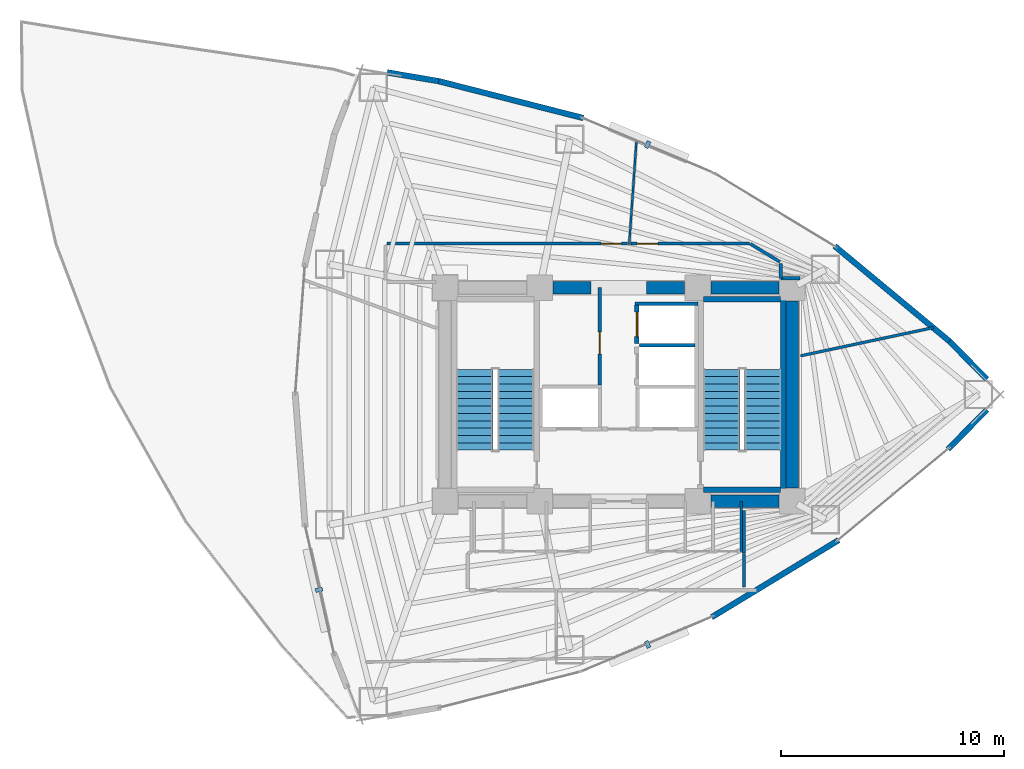
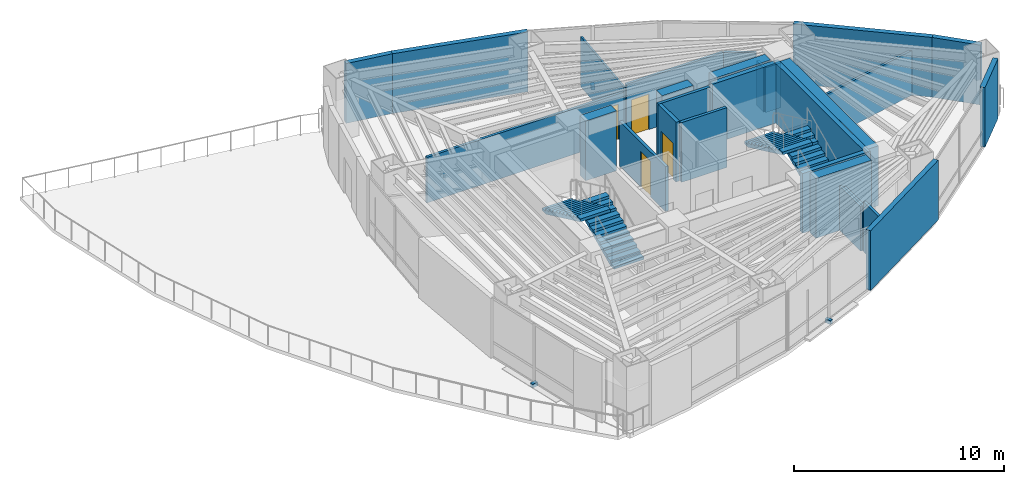
# One storey, part 16 of 19: 28 walls, 4 doors, 4 stair flights, 3 discrete accessories, 4 openings, 2 elements without a shape of their own.
"""IFC4 building model written with IfcOpenShell, lengths in metres."""

from ifc_helpers import new_model, si_unit, direction, frame, frame_2d, origin, origin_2d, place, context, subcontext, project, spatial, polyline, rectangle, outline, extrude, material, layer, layer_set, type_object, element, fill, aggregate, save


model = new_model("IFC4")

# Units and contexts
model_context = context("Model", 3, precision=1e-05, world=origin(), true_north=direction((0.0, 1.0)))
body_context = subcontext(model_context, "Body", "Model", "MODEL_VIEW")
ifc_project = project(units=[si_unit("LENGTHUNIT", "METRE"), si_unit("AREAUNIT", "SQUARE_METRE"), si_unit("VOLUMEUNIT", "CUBIC_METRE"), si_unit("PLANEANGLEUNIT", "RADIAN"), si_unit("MASSUNIT", "GRAM", prefix="KILO")], contexts=[model_context])

# Site, building, storey
site_placement = place(None, origin())
site = spatial("IfcSite", under=ifc_project, at=site_placement, CompositionType="ELEMENT")
building_placement = place(site_placement, origin())
building = spatial("IfcBuilding", under=site, at=building_placement, Name="Menara Vayukalpa", CompositionType="ELEMENT")
storey_placement = place(building_placement, frame((0.0, 0.0, 118.860107421875)))
storey = spatial("IfcBuildingStorey", under=building, at=storey_placement, Name="L29", CompositionType="ELEMENT", Elevation=118.860107421875)

# Walls
ifc_material_1 = material(Name="Concrete C60/75", Category="concrete")
ifc_layer_1 = layer(ifc_material_1, 0.550048828125)
ifc_layer_set_1 = layer_set([ifc_layer_1], Name="Concrete C60/75")
wall_type_1 = type_object("IfcWallType", Name="WAL-CW550", PredefinedType="SHEAR", material=ifc_layer_set_1)
wall_1_placement = place(storey_placement, frame((29.7451171875, 17.199951171875, 0.0), z_axis=(0.0, 0.0, 1.0), x_axis=(1.0, 0.0, 0.0)))
element("IfcWall", 1, at=wall_1_placement, inside=storey, type_object=wall_type_1, Name="L29 Buttressed Core Shear Wall CWS4", PredefinedType="SHEAR", context=body_context, shape_type="SweptSolid", body=[
    extrude(rectangle(XDim=3.059814453125, YDim=0.550048828125, at=frame_2d((1.52978515625, 0.0))), origin(), (0.0, 0.0, 1.0), 3.469970703125),
])
wall_2_placement = place(storey_placement, frame((22.64501953125, 26.800048828125, 0.0), z_axis=(0.0, 0.0, 1.0), x_axis=(1.0, 0.0, 0.0)))
element("IfcWall", 2, at=wall_2_placement, inside=storey, type_object=wall_type_1, Name="L29 Buttressed Core Shear Wall CWN2", PredefinedType="SHEAR", context=body_context, shape_type="SweptSolid", body=[
    extrude(rectangle(XDim=1.705078125, YDim=0.550048828125, at=frame_2d((0.8525390625, 0.0))), origin(), (0.0, 0.0, 1.0), 3.469970703125),
])
wall_3_placement = place(storey_placement, frame((26.85009765625, 26.800048828125, 0.0), z_axis=(0.0, 0.0, 1.0), x_axis=(1.0, 0.0, 0.0)))
element("IfcWall", 3, at=wall_3_placement, inside=storey, type_object=wall_type_1, Name="L29 Buttressed Core Shear Wall CWN3", PredefinedType="SHEAR", context=body_context, shape_type="SweptSolid", body=[
    extrude(rectangle(XDim=1.704833984375, YDim=0.550048828125, at=frame_2d((0.8525390625, 0.0))), origin(), (0.0, 0.0, 1.0), 3.469970703125),
])
wall_4_placement = place(storey_placement, frame((29.7451171875, 26.800048828125, 0.0), z_axis=(0.0, 0.0, 1.0), x_axis=(1.0, 0.0, 0.0)))
element("IfcWall", 4, at=wall_4_placement, inside=storey, type_object=wall_type_1, Name="L29 Buttressed Core Shear Wall CWN4", PredefinedType="SHEAR", context=body_context, shape_type="SweptSolid", body=[
    extrude(rectangle(XDim=3.059814453125, YDim=0.550048828125, at=frame_2d((1.52978515625, 0.0))), origin(), (0.0, 0.0, 1.0), 3.469970703125),
])
wall_5_placement = place(storey_placement, frame((33.39990234375, 17.794921875, 0.0), z_axis=(0.0, 0.0, 1.0), x_axis=(0.0, 1.0, 0.0)))
element("IfcWall", 5, at=wall_5_placement, inside=storey, type_object=wall_type_1, Name="L29 Buttressed Core Shear Wall CWE1", PredefinedType="SHEAR", context=body_context, shape_type="SweptSolid", body=[
    extrude(rectangle(XDim=8.41015625, YDim=0.550048828125, at=frame_2d((4.205078125, 0.0))), origin(), (0.0, 0.0, 1.0), 3.469970703125),
])
ifc_material_2 = material(Name="Insulated Precast Concrete C40/50", Category="concrete")
ifc_layer_2 = layer(ifc_material_2, 0.260009765625)
ifc_layer_set_2 = layer_set([ifc_layer_2], Name="Insulated Precast Concrete C40/50")
wall_type_2 = type_object("IfcWallType", Name="WAL-EXT260", PredefinedType="PARTITIONING", material=ifc_layer_set_2)
wall_6_placement = place(storey_placement, frame((42.14111328125, 21.316650390625, 0.0), z_axis=(0.0, 0.0, 1.0), x_axis=(-0.700579225101, -0.713574627742, 0.0)))
element("IfcWall", 6, at=wall_6_placement, inside=storey, type_object=wall_type_2, Name="L29 Perimeter Terracotta Pier Wall 01", PredefinedType="PARTITIONING", context=body_context, shape_type="SweptSolid", body=[
    extrude(rectangle(XDim=2.49853515625, YDim=0.260009765625, at=frame_2d((1.249267578125, 0.0))), origin(), (0.0, 0.0, 1.0), 3.469970703125),
])
wall_7_placement = place(storey_placement, frame((40.46337890625, 24.39208984375, 0.0), z_axis=(0.0, 0.0, 1.0), x_axis=(0.700603293449, -0.713550996922, 0.0)))
element("IfcWall", 7, at=wall_7_placement, inside=storey, type_object=wall_type_2, Name="L29 Perimeter Terracotta Pier Wall 02", PredefinedType="PARTITIONING", context=body_context, shape_type="SweptSolid", body=[
    extrude(rectangle(XDim=2.394775390625, YDim=0.260009765625, at=frame_2d((1.197265625, 0.0))), origin(), (0.0, 0.0, 1.0), 3.469970703125),
])
wall_8_placement = place(storey_placement, frame((35.30126953125, 28.672119140625, 0.0), z_axis=(0.0, 0.0, 1.0), x_axis=(0.76975316947, -0.638341646841, 0.0)))
element("IfcWall", 8, at=wall_8_placement, inside=storey, type_object=wall_type_2, Name="L29 Perimeter Terracotta Pier Wall 03", PredefinedType="PARTITIONING", context=body_context, shape_type="SweptSolid", body=[
    extrude(rectangle(XDim=6.718017578125, YDim=0.260009765625, at=frame_2d((3.35888671875, 0.0))), origin(), (0.0, 0.0, 1.0), 3.469970703125),
])
wall_9_placement = place(storey_placement, frame((17.504638671875, 36.08056640625, 0.0), z_axis=(0.0, 0.0, 1.0), x_axis=(0.968981437296, -0.247133514876, 0.0)))
element("IfcWall", 9, at=wall_9_placement, inside=storey, type_object=wall_type_2, Name="L29 Perimeter Terracotta Pier Wall 06", PredefinedType="PARTITIONING", context=body_context, shape_type="SweptSolid", body=[
    extrude(rectangle(XDim=6.717529296875, YDim=0.260009765625, at=frame_2d((3.35888671875, 0.0))), origin(), (0.0, 0.0, 1.0), 3.469970703125),
])
wall_10_placement = place(storey_placement, frame((15.19287109375, 36.472412109375, 0.0), z_axis=(0.0, 0.0, 1.0), x_axis=(0.985905269947, -0.167304508875, 0.0)))
element("IfcWall", 10, at=wall_10_placement, inside=storey, type_object=wall_type_2, Name="L29 Perimeter Terracotta Pier Wall 07", PredefinedType="PARTITIONING", context=body_context, shape_type="SweptSolid", body=[
    extrude(rectangle(XDim=2.356689453125, YDim=0.260009765625, at=frame_2d((1.17822265625, 0.0))), origin(), (0.0, 0.0, 1.0), 3.469970703125),
])
wall_11_placement = place(storey_placement, frame((35.47998046875, 15.455078125, 0.0), z_axis=(0.0, 0.0, 1.0), x_axis=(-0.854673977685, -0.51916509115, 0.0)))
element("IfcWall", 11, at=wall_11_placement, inside=storey, type_object=wall_type_2, Name="L29 Perimeter Terracotta Pier Wall 18", PredefinedType="PARTITIONING", context=body_context, shape_type="SweptSolid", body=[
    extrude(rectangle(XDim=6.678466796875, YDim=0.260009765625, at=frame_2d((3.33935546875, 0.0))), origin(), (0.0, 0.0, 1.0), 3.469970703125),
])
ifc_material_3 = material(Name="Lightweight Concrete Blockwork C16/20", Category="masonry")
ifc_layer_3 = layer(ifc_material_3, 0.159912109375)
ifc_layer_set_3 = layer_set([ifc_layer_3], Name="Lightweight Concrete Blockwork C16/20")
wall_type_3 = type_object("IfcWallType", Name="WAL-FR150", PredefinedType="PARTITIONING", material=ifc_layer_set_3)
wall_12_placement = place(storey_placement, frame((26.530029296875, 24.215087890625, 0.0), z_axis=(0.0, 0.0, 1.0), x_axis=(1.0, 0.0, 0.0)))
element("IfcWall", 12, at=wall_12_placement, inside=storey, type_object=wall_type_3, Name="L29 Interior Partition IW-L29-SHM-E32", PredefinedType="PARTITIONING", context=body_context, shape_type="SweptSolid", body=[
    extrude(rectangle(XDim=2.489990234375, YDim=0.159912109375, at=frame_2d((1.2451171875, 0.0))), origin(), (0.0, 0.0, 1.0), 3.469970703125),
])
wall_13_placement = place(storey_placement, frame((26.340087890625, 26.0849609375, 0.0), z_axis=(0.0, 0.0, 1.0), x_axis=(1.0, 0.0, 0.0)))
element("IfcWall", 13, at=wall_13_placement, inside=storey, type_object=wall_type_3, Name="L29 Interior Partition IW-L29-SHM-E2N", PredefinedType="PARTITIONING", context=body_context, shape_type="SweptSolid", body=[
    extrude(rectangle(XDim=2.829833984375, YDim=0.159912109375, at=frame_2d((1.4150390625, 0.0))), origin(), (0.0, 0.0, 1.0), 3.469970703125),
])

# Wall, opening, door
wall_14_placement = place(storey_placement, frame((24.739990234375, 22.429931640625, 0.0), z_axis=(0.0, 0.0, 1.0), x_axis=(0.0, 1.0, 0.0)))
wall_14 = element("IfcWall", 14, at=wall_14_placement, inside=storey, type_object=wall_type_3, Name="L29 Interior Partition IW-L29-LV7W", PredefinedType="PARTITIONING", context=body_context, shape_type="SweptSolid", body=[
    extrude(rectangle(XDim=4.3701171875, YDim=0.159912109375, at=frame_2d((2.18505859375, 0.0))), origin(), (0.0, 0.0, 1.0), 2.599853515625),
])
opening_1_placement = place(wall_14_placement, frame((1.39990234375, 0.0, 0.0)))
opening_1 = element("IfcOpeningElement", 15, at=opening_1_placement, cuts=wall_14, Name="Opening ID3", PredefinedType="OPENING", context=body_context, shape_type="SweptSolid", body=[
    extrude(rectangle(XDim=0.97998046875, YDim=2.06005859375, at=frame_2d((0.489990234375, 1.030029296875))), frame((0.0, 0.08984375, 0.0), z_axis=(0.0, -1.0, 0.0), x_axis=(1.0, 0.0, 0.0)), (0.0, 0.0, 1.0), 0.179931640625),
])
ifc_material_4 = material(Name="Fire-Rated Powder-Coated Steel Door", Category="steel")
door_type_1 = type_object("IfcDoorType", Name="DR-FD60", OperationType="NOTDEFINED", PredefinedType="DOOR", material=ifc_material_4)
door_1_placement = place(opening_1_placement, origin())
door_1 = element("IfcDoor", 16, at=door_1_placement, inside=storey, type_object=door_type_1, Name="L29 Interior Door DR-L29-LV7W", OperationType="SINGLE_SWING_RIGHT", OverallHeight=2.06005859375, OverallWidth=0.97998046875, PredefinedType="DOOR", context=body_context, shape_type="SweptSolid", body=[
    extrude(rectangle(XDim=0.97998046875, YDim=2.06005859375, at=frame_2d((0.489990234375, 1.030029296875))), frame((0.0, 0.02490234375, 0.0), z_axis=(0.0, -1.0, 0.0), x_axis=(1.0, 0.0, 0.0)), (0.0, 0.0, 1.0), 0.050048828125),
])
fill(opening_1, door_1)

ifc_material_5 = material(Name="Lightweight Concrete Blockwork C16/20", Category="masonry")
ifc_layer_4 = layer(ifc_material_5, 0.199951171875)
ifc_layer_set_4 = layer_set([ifc_layer_4], Name="Lightweight Concrete Blockwork C16/20")
wall_type_4 = type_object("IfcWallType", Name="WAL-FR200", PredefinedType="PARTITIONING", material=ifc_layer_set_4)
wall_15_placement = place(storey_placement, frame((26.419921875, 24.2900390625, 0.0), z_axis=(0.0, 0.0, 1.0), x_axis=(0.0, 1.0, 0.0)))
wall_15 = element("IfcWall", 17, at=wall_15_placement, inside=storey, type_object=wall_type_4, Name="L29 Interior Partition IW-L29-SH-E2", PredefinedType="PARTITIONING", context=body_context, shape_type="SweptSolid", body=[
    extrude(rectangle(XDim=1.719970703125, YDim=0.199951171875, at=frame_2d((0.85986328125, 0.0))), origin(), (0.0, 0.0, 1.0), 3.469970703125),
])
opening_2_placement = place(wall_15_placement, frame((0.31005859375, 0.0, 0.0)))
opening_2 = element("IfcOpeningElement", 18, at=opening_2_placement, cuts=wall_15, Name="Opening LD1", PredefinedType="OPENING", context=body_context, shape_type="SweptSolid", body=[
    extrude(rectangle(XDim=1.10009765625, YDim=2.080078125, at=frame_2d((0.550048828125, 1.0400390625))), frame((0.0, 0.10986328125, 0.0), z_axis=(0.0, -1.0, 0.0), x_axis=(1.0, 0.0, 0.0)), (0.0, 0.0, 1.0), 0.219970703125),
])
ifc_material_6 = material(Name="Brushed Stainless Steel 316 Lift Door", Category="steel")
door_type_2 = type_object("IfcDoorType", Name="DR-LD110", OperationType="NOTDEFINED", PredefinedType="DOOR", material=ifc_material_6)
door_2_placement = place(opening_2_placement, origin())
door_2 = element("IfcDoor", 19, at=door_2_placement, inside=storey, type_object=door_type_2, Name="L29 Interior Door DR-L29-LD-E2", OperationType="DOUBLE_DOOR_SLIDING", OverallHeight=2.080078125, OverallWidth=1.10009765625, PredefinedType="DOOR", context=body_context, shape_type="SweptSolid", body=[
    extrude(rectangle(XDim=1.10009765625, YDim=2.080078125, at=frame_2d((0.550048828125, 1.0400390625))), frame((0.0, 0.02490234375, 0.0), z_axis=(0.0, -1.0, 0.0), x_axis=(1.0, 0.0, 0.0)), (0.0, 0.0, 1.0), 0.050048828125),
])
fill(opening_2, door_2)

# Walls
ifc_material_7 = material(Name="Glazed Demountable Office Partition", Category="glass")
ifc_layer_5 = layer(ifc_material_7, 0.094970703125)
ifc_layer_set_5 = layer_set([ifc_layer_5], Name="Glazed Demountable Office Partition")
wall_type_5 = type_object("IfcWallType", Name="WAL-PT100", PredefinedType="PARTITIONING", material=ifc_layer_set_5)
wall_16_placement = place(storey_placement, frame((26.070556640625, 28.72998046875, 0.0), z_axis=(0.0, 0.0, 1.0), x_axis=(0.069740179431, 0.997565189535, 0.0)))
element("IfcWall", 20, at=wall_16_placement, inside=storey, type_object=wall_type_5, Name="L29 Interior Partition IW-L29-RDIV02", PredefinedType="PARTITIONING", context=body_context, shape_type="SweptSolid", body=[
    extrude(rectangle(XDim=4.697998046875, YDim=0.094970703125, at=frame_2d((2.34912109375, 0.0))), origin(), (0.0, 0.0, 1.0), 2.89990234375),
])
ifc_material_8 = material(Name="Acoustic Mineral Stud Partition", Category="masonry")
ifc_layer_6 = layer(ifc_material_8, 0.110107421875)
ifc_layer_set_6 = layer_set([ifc_layer_6], Name="Acoustic Mineral Stud Partition")
wall_type_6 = type_object("IfcWallType", Name="WAL-PT110", PredefinedType="PARTITIONING", material=ifc_layer_set_6)
wall_17_placement = place(storey_placement, frame((31.10009765625, 14.949951171875, 0.0), z_axis=(0.0, 0.0, 1.0), x_axis=(0.0, 1.0, 0.0)))
element("IfcWall", 21, at=wall_17_placement, inside=storey, type_object=wall_type_6, Name="L29 Interior Partition IW-L29-SVCD-08", PredefinedType="PARTITIONING", context=body_context, shape_type="SweptSolid", body=[
    extrude(rectangle(XDim=2.25, YDim=0.110107421875, at=frame_2d((1.125, 0.0))), origin(), (0.0, 0.0, 1.0), 2.599853515625),
])
ifc_material_9 = material(Name="Gypsum Drywall Steel Stud Assembly", Category="steel")
ifc_layer_7 = layer(ifc_material_9, 0.125)
ifc_layer_set_7 = layer_set([ifc_layer_7], Name="Gypsum Drywall Steel Stud Assembly")
wall_type_7 = type_object("IfcWallType", Name="WAL-PT125", PredefinedType="PARTITIONING", material=ifc_layer_set_7)
wall_18_placement = place(storey_placement, frame((33.77001953125, 23.736572265625, 0.0), z_axis=(0.0, 0.0, 1.0), x_axis=(0.978144206175, 0.20792766032, 0.0)))
element("IfcWall", 22, at=wall_18_placement, inside=storey, type_object=wall_type_7, Name="L29 Interior Partition IW-L29-RDIV01", PredefinedType="PARTITIONING", context=body_context, shape_type="SweptSolid", body=[
    extrude(rectangle(XDim=6.10205078125, YDim=0.125, at=frame_2d((3.051025390625, 0.0))), origin(), (0.0, 0.0, 1.0), 2.599853515625),
])
ifc_material_10 = material(Name="Gypsum Drywall Acoustic Stud Assembly", Category="masonry")
ifc_layer_8 = layer(ifc_material_10, 0.14501953125)
ifc_layer_set_8 = layer_set([ifc_layer_8], Name="Gypsum Drywall Acoustic Stud Assembly")
wall_type_8 = type_object("IfcWallType", Name="WAL-PT150", PredefinedType="PARTITIONING", material=ifc_layer_set_8)
wall_19_placement = place(storey_placement, frame((31.22998046875, 13.351318359375, 0.0), z_axis=(0.0, 0.0, 1.0), x_axis=(0.0, 1.0, 0.0)))
element("IfcWall", 23, at=wall_19_placement, inside=storey, type_object=wall_type_8, Name="L29 Interior Partition IW-L29-CRM02-2", PredefinedType="PARTITIONING", context=body_context, shape_type="SweptSolid", body=[
    extrude(rectangle(XDim=1.498779296875, YDim=0.14501953125, at=frame_2d((0.74951171875, 0.0))), origin(), (0.0, 0.0, 1.0), 2.89990234375),
])
wall_20_placement = place(storey_placement, frame((31.219970703125, 14.888671875, 0.0), z_axis=(0.0, 0.0, 1.0), x_axis=(0.0, 1.0, 0.0)))
element("IfcWall", 24, at=wall_20_placement, inside=storey, type_object=wall_type_8, Name="L29 Interior Partition IW-L29-CRM02-3", PredefinedType="PARTITIONING", context=body_context, shape_type="SweptSolid", body=[
    extrude(rectangle(XDim=1.891357421875, YDim=0.14501953125, at=frame_2d((0.94580078125, 0.0))), origin(), (0.0, 0.0, 1.0), 2.599853515625),
])
wall_21_placement = place(storey_placement, frame((33.739990234375, 27.219970703125, 0.0), z_axis=(0.0, 0.0, 1.0), x_axis=(-1.0, 0.0, 0.0)))
element("IfcWall", 25, at=wall_21_placement, inside=storey, type_object=wall_type_8, Name="L29 Interior Partition IW-L29-CRM03-1", PredefinedType="PARTITIONING", context=body_context, shape_type="SweptSolid", body=[
    extrude(rectangle(XDim=0.860107421875, YDim=0.14501953125, at=frame_2d((0.43017578125, 0.0))), origin(), (0.0, 0.0, 1.0), 2.599853515625),
])
wall_22_placement = place(storey_placement, frame((32.8798828125, 27.219970703125, 0.0), z_axis=(0.0, 0.0, 1.0), x_axis=(0.0, 1.0, 0.0)))
element("IfcWall", 26, at=wall_22_placement, inside=storey, type_object=wall_type_8, Name="L29 Interior Partition IW-L29-CRM03-2", PredefinedType="PARTITIONING", context=body_context, shape_type="SweptSolid", body=[
    extrude(rectangle(XDim=0.671142578125, YDim=0.14501953125, at=frame_2d((0.33544921875, 0.0))), origin(), (0.0, 0.0, 1.0), 2.599853515625),
])
wall_23_placement = place(storey_placement, frame((32.841552734375, 27.959716796875, 0.0), z_axis=(0.0, 0.0, 1.0), x_axis=(-0.854742818792, 0.519051744745, 0.0)))
element("IfcWall", 27, at=wall_23_placement, inside=storey, type_object=wall_type_8, Name="L29 Interior Partition IW-L29-CRM03-3", PredefinedType="PARTITIONING", context=body_context, shape_type="SweptSolid", body=[
    extrude(rectangle(XDim=1.557861328125, YDim=0.14501953125, at=frame_2d((0.77880859375, 0.0))), origin(), (0.0, 0.0, 1.0), 3.0498046875),
])

# Wall, opening, door
wall_24_placement = place(storey_placement, frame((31.468505859375, 28.780029296875, 0.0), z_axis=(0.0, 0.0, 1.0), x_axis=(-1.0, 0.0, 0.0)))
wall_24 = element("IfcWall", 28, at=wall_24_placement, inside=storey, type_object=wall_type_8, Name="L29 Interior Partition IW-L29-CRM03-4", PredefinedType="PARTITIONING", context=body_context, shape_type="SweptSolid", body=[
    extrude(rectangle(XDim=5.32421875, YDim=0.14501953125, at=frame_2d((2.662109375, 0.0))), origin(), (0.0, 0.0, 1.0), 3.0498046875),
])
opening_3_placement = place(wall_24_placement, frame((4.09423828125, 0.0, 0.0)))
opening_3 = element("IfcOpeningElement", 29, at=opening_3_placement, cuts=wall_24, Name="Opening ID5", PredefinedType="OPENING", context=body_context, shape_type="SweptSolid", body=[
    extrude(rectangle(XDim=0.949951171875, YDim=2.06005859375, at=frame_2d((0.47509765625, 1.030029296875))), frame((0.0, 0.08251953125, 0.0), z_axis=(0.0, -1.0, 0.0), x_axis=(1.0, 0.0, 0.0)), (0.0, 0.0, 1.0), 0.1650390625),
])
ifc_material_11 = material(Name="Acoustic Hardwood Veneer Timber Door", Category="wood")
door_type_3 = type_object("IfcDoorType", Name="DR-INT95", OperationType="NOTDEFINED", PredefinedType="DOOR", material=ifc_material_11)
door_3_placement = place(opening_3_placement, origin())
door_3 = element("IfcDoor", 30, at=door_3_placement, inside=storey, type_object=door_type_3, Name="L29 Interior Door DR-L29-RM03", OperationType="SINGLE_SWING_LEFT", OverallHeight=2.06005859375, OverallWidth=0.949951171875, PredefinedType="DOOR", context=body_context, shape_type="SweptSolid", body=[
    extrude(rectangle(XDim=0.949951171875, YDim=2.06005859375, at=frame_2d((0.47509765625, 1.030029296875))), frame((0.0, 0.02490234375, 0.0), z_axis=(0.0, -1.0, 0.0), x_axis=(1.0, 0.0, 0.0)), (0.0, 0.0, 1.0), 0.050048828125),
])
fill(opening_3, door_3)

wall_25_placement = place(storey_placement, frame((26.00390625, 28.780029296875, 0.0), z_axis=(0.0, 0.0, 1.0), x_axis=(-1.0, 0.0, 0.0)))
wall_25 = element("IfcWall", 31, at=wall_25_placement, inside=storey, type_object=wall_type_8, Name="L29 Interior Partition IW-L29-CRM04-1", PredefinedType="PARTITIONING", context=body_context, shape_type="SweptSolid", body=[
    extrude(rectangle(XDim=10.803955078125, YDim=0.14501953125, at=frame_2d((5.40185546875, 0.0))), origin(), (0.0, 0.0, 1.0), 2.64990234375),
])
opening_4_placement = place(wall_25_placement, frame((0.280029296875, 0.0, 0.0)))
opening_4 = element("IfcOpeningElement", 32, at=opening_4_placement, cuts=wall_25, Name="Opening ID6", PredefinedType="OPENING", context=body_context, shape_type="SweptSolid", body=[
    extrude(rectangle(XDim=0.919921875, YDim=2.050048828125, at=frame_2d((0.4599609375, 1.02490234375))), frame((0.0, 0.08251953125, 0.0), z_axis=(0.0, -1.0, 0.0), x_axis=(1.0, 0.0, 0.0)), (0.0, 0.0, 1.0), 0.1650390625),
])
ifc_material_12 = material(Name="Acoustic Hardwood Veneer Timber Door", Category="wood")
door_type_4 = type_object("IfcDoorType", Name="DR-INT92", OperationType="NOTDEFINED", PredefinedType="DOOR", material=ifc_material_12)
door_4_placement = place(opening_4_placement, origin())
door_4 = element("IfcDoor", 33, at=door_4_placement, inside=storey, type_object=door_type_4, Name="L29 Interior Door DR-L29-RM04", OperationType="SINGLE_SWING_RIGHT", OverallHeight=2.050048828125, OverallWidth=0.919921875, PredefinedType="DOOR", context=body_context, shape_type="SweptSolid", body=[
    extrude(rectangle(XDim=0.919921875, YDim=2.050048828125, at=frame_2d((0.4599609375, 1.02490234375))), frame((0.0, 0.02490234375, 0.0), z_axis=(0.0, -1.0, 0.0), x_axis=(1.0, 0.0, 0.0)), (0.0, 0.0, 1.0), 0.050048828125),
])
fill(opening_4, door_4)

# Walls
ifc_material_13 = material(Name="Concrete C50/60", Category="concrete")
ifc_layer_9 = layer(ifc_material_13, 0.25)
ifc_layer_set_9 = layer_set([ifc_layer_9], Name="Concrete C50/60")
wall_type_9 = type_object("IfcWallType", Name="WAL-SW250", PredefinedType="SHEAR", material=ifc_layer_set_9)
wall_26_placement = place(storey_placement, frame((32.99609375, 17.60009765625, 0.0), z_axis=(0.0, 0.0, 1.0), x_axis=(0.0, 1.0, 0.0)))
element("IfcWall", 34, at=wall_26_placement, inside=storey, type_object=wall_type_9, Name="L29 ST2 Structural Stair Shaft Wall E", PredefinedType="SHEAR", context=body_context, shape_type="SweptSolid", body=[
    extrude(rectangle(XDim=8.7998046875, YDim=0.25, at=frame_2d((4.39990234375, 0.0))), origin(), (0.0, 0.0, 1.0), 3.469970703125),
])
for number, where, z_axis, x_axis, name in (
    (35, (29.39990234375, 17.72509765625, 0.0), (0.0, 0.0, 1.0), (1.0, 0.0, 0.0), "L29 ST2 Structural Stair Shaft Wall S"),
    (36, (29.39990234375, 26.27490234375, 0.0), (0.0, 0.0, 1.0), (1.0, 0.0, 0.0), "L29 ST2 Structural Stair Shaft Wall N"),
):
    element("IfcWall", number, at=place(storey_placement, frame(where, z_axis=z_axis, x_axis=x_axis)), inside=storey, type_object=wall_type_9, Name=name, PredefinedType="SHEAR", context=body_context, shape_type="SweptSolid", body=[
        extrude(rectangle(XDim=3.47119140625, YDim=0.25, at=frame_2d((1.735595703125, 0.0))), origin(), (0.0, 0.0, 1.0), 3.469970703125),
    ])

# Stair, stair flights
ifc_material_14 = material(Name="Precast Concrete C40/50", Category="concrete")
stair_type = type_object("IfcStairType", Name="STR-T04", PredefinedType="DOUBLE_RETURN_STAIR", material=ifc_material_14)
stair_1_placement = place(storey_placement, origin())
stair_1 = element("IfcStair", 37, at=stair_1_placement, inside=storey, type_object=stair_type, Name="L29 Core Exit Stair ST-1", PredefinedType="DOUBLE_RETURN_STAIR")
ifc_material_15 = material(Name="Precast Concrete C40/50", Category="concrete")
stair_flight_type = type_object("IfcStairFlightType", Name="STF-T04", PredefinedType="STRAIGHT", material=ifc_material_15)
stair_flight_1_placement = place(storey_placement, frame((20.97509765625, 19.5, 0.0), z_axis=(0.0, 0.0, 1.0), x_axis=(0.0, 1.0, 0.0)))
stair_flight_1 = element("IfcStairFlight", 38, at=stair_flight_1_placement, type_object=stair_flight_type, Name="ST-1 flight 1", NumberOfRisers=12, NumberOfTreads=11, PredefinedType="STRAIGHT", RiserHeight=0.155, TreadLength=0.33, context=body_context, shape_type="SweptSolid", body=[
    extrude(outline(polyline([(0.0, 0.0), (0.0, 0.155029296875), (0.330078125, 0.155029296875), (0.330078125, 0.31005859375), (0.659912109375, 0.31005859375), (0.659912109375, 0.465087890625), (0.989990234375, 0.465087890625), (0.989990234375, 0.6201171875), (1.320068359375, 0.6201171875), (1.320068359375, 0.77490234375), (1.64990234375, 0.77490234375), (1.64990234375, 0.929931640625), (1.97998046875, 0.929931640625), (1.97998046875, 1.0849609375), (2.31005859375, 1.0849609375), (2.31005859375, 1.239990234375), (2.639892578125, 1.239990234375), (2.639892578125, 1.39501953125), (2.969970703125, 1.39501953125), (2.969970703125, 1.550048828125), (3.300048828125, 1.550048828125), (3.300048828125, 1.705078125), (3.6298828125, 1.705078125), (3.6298828125, 1.860107421875), (3.6298828125, 1.539306640625), (0.3525390625, 0.0), (0.0, 0.0)])), frame((0.0, 0.824951171875, 0.0), z_axis=(0.0, -1.0, 0.0), x_axis=(1.0, 0.0, 0.0)), (0.0, 0.0, 1.0), 1.64990234375),
])
stair_flight_2_placement = place(storey_placement, frame((19.125, 23.1298828125, 1.85986328125), z_axis=(0.0, 0.0, 1.0), x_axis=(0.0, -1.0, 0.0)))
stair_flight_2 = element("IfcStairFlight", 39, at=stair_flight_2_placement, type_object=stair_flight_type, Name="ST-1 flight 2", NumberOfRisers=12, NumberOfTreads=11, PredefinedType="STRAIGHT", RiserHeight=0.155, TreadLength=0.33, context=body_context, shape_type="SweptSolid", body=[
    extrude(outline(polyline([(0.0, 0.0), (0.0, 0.155029296875), (0.330078125, 0.155029296875), (0.330078125, 0.31005859375), (0.659912109375, 0.31005859375), (0.659912109375, 0.465087890625), (0.989990234375, 0.465087890625), (0.989990234375, 0.6201171875), (1.320068359375, 0.6201171875), (1.320068359375, 0.77490234375), (1.64990234375, 0.77490234375), (1.64990234375, 0.929931640625), (1.97998046875, 0.929931640625), (1.97998046875, 1.0849609375), (2.31005859375, 1.0849609375), (2.31005859375, 1.239990234375), (2.639892578125, 1.239990234375), (2.639892578125, 1.39501953125), (2.969970703125, 1.39501953125), (2.969970703125, 1.550048828125), (3.300048828125, 1.550048828125), (3.300048828125, 1.705078125), (3.6298828125, 1.705078125), (3.6298828125, 1.860107421875), (3.6298828125, 1.539306640625), (0.3525390625, 0.0), (0.0, 0.0)])), frame((0.0, 0.824951171875, 0.0), z_axis=(0.0, -1.0, 0.0), x_axis=(1.0, 0.0, 0.0)), (0.0, 0.0, 1.0), 1.64990234375),
])
aggregate(stair_1, [stair_flight_1, stair_flight_2])

stair_2_placement = place(storey_placement, origin())
stair_2 = element("IfcStair", 40, at=stair_2_placement, inside=storey, type_object=stair_type, Name="L29 Core Exit Stair ST-2", PredefinedType="DOUBLE_RETURN_STAIR")
stair_flight_3_placement = place(storey_placement, frame((32.074951171875, 19.5, 0.0), z_axis=(0.0, 0.0, 1.0), x_axis=(0.0, 1.0, 0.0)))
stair_flight_3 = element("IfcStairFlight", 41, at=stair_flight_3_placement, type_object=stair_flight_type, Name="ST-2 flight 1", NumberOfRisers=12, NumberOfTreads=11, PredefinedType="STRAIGHT", RiserHeight=0.155, TreadLength=0.33, context=body_context, shape_type="SweptSolid", body=[
    extrude(outline(polyline([(0.0, 0.0), (0.0, 0.155029296875), (0.330078125, 0.155029296875), (0.330078125, 0.31005859375), (0.659912109375, 0.31005859375), (0.659912109375, 0.465087890625), (0.989990234375, 0.465087890625), (0.989990234375, 0.6201171875), (1.320068359375, 0.6201171875), (1.320068359375, 0.77490234375), (1.64990234375, 0.77490234375), (1.64990234375, 0.929931640625), (1.97998046875, 0.929931640625), (1.97998046875, 1.0849609375), (2.31005859375, 1.0849609375), (2.31005859375, 1.239990234375), (2.639892578125, 1.239990234375), (2.639892578125, 1.39501953125), (2.969970703125, 1.39501953125), (2.969970703125, 1.550048828125), (3.300048828125, 1.550048828125), (3.300048828125, 1.705078125), (3.6298828125, 1.705078125), (3.6298828125, 1.860107421875), (3.6298828125, 1.539306640625), (0.3525390625, 0.0), (0.0, 0.0)])), frame((0.0, 0.824951171875, 0.0), z_axis=(0.0, -1.0, 0.0), x_axis=(1.0, 0.0, 0.0)), (0.0, 0.0, 1.0), 1.64990234375),
])
stair_flight_4_placement = place(storey_placement, frame((30.22509765625, 23.1298828125, 1.85986328125), z_axis=(0.0, 0.0, 1.0), x_axis=(0.0, -1.0, 0.0)))
stair_flight_4 = element("IfcStairFlight", 42, at=stair_flight_4_placement, type_object=stair_flight_type, Name="ST-2 flight 2", NumberOfRisers=12, NumberOfTreads=11, PredefinedType="STRAIGHT", RiserHeight=0.155, TreadLength=0.33, context=body_context, shape_type="SweptSolid", body=[
    extrude(outline(polyline([(0.0, 0.0), (0.0, 0.155029296875), (0.330078125, 0.155029296875), (0.330078125, 0.31005859375), (0.659912109375, 0.31005859375), (0.659912109375, 0.465087890625), (0.989990234375, 0.465087890625), (0.989990234375, 0.6201171875), (1.320068359375, 0.6201171875), (1.320068359375, 0.77490234375), (1.64990234375, 0.77490234375), (1.64990234375, 0.929931640625), (1.97998046875, 0.929931640625), (1.97998046875, 1.0849609375), (2.31005859375, 1.0849609375), (2.31005859375, 1.239990234375), (2.639892578125, 1.239990234375), (2.639892578125, 1.39501953125), (2.969970703125, 1.39501953125), (2.969970703125, 1.550048828125), (3.300048828125, 1.550048828125), (3.300048828125, 1.705078125), (3.6298828125, 1.705078125), (3.6298828125, 1.860107421875), (3.6298828125, 1.539306640625), (0.3525390625, 0.0), (0.0, 0.0)])), frame((0.0, 0.824951171875, 0.0), z_axis=(0.0, -1.0, 0.0), x_axis=(1.0, 0.0, 0.0)), (0.0, 0.0, 1.0), 1.64990234375),
])
aggregate(stair_2, [stair_flight_3, stair_flight_4])

# Discrete accessories
ifc_material_16 = material(Name="Stainless Steel 316 Sunshade Bracket", Category="steel")
discrete_accessory_type = type_object("IfcDiscreteAccessoryType", Name="ACC-BRK1", PredefinedType="BRACKET", material=ifc_material_16)
for number, where, z_axis, x_axis, name in (
    (43, (26.898193359375, 33.22900390625, -0.16015625), (0.0, 0.0, 1.0), (-0.922544824647, 0.385889940938, 0.0), "L29 Terracotta Sunshade Bracket 05"),
    (44, (12.135009765625, 13.224853515625, -0.16015625), (0.0, 0.0, 1.0), (0.219522692765, -0.975607394068, 0.0), "L29 Terracotta Sunshade Bracket 13"),
    (45, (26.898193359375, 10.77099609375, -0.16015625), (0.0, 0.0, 1.0), (0.922544824647, 0.385889940938, 0.0), "L29 Terracotta Sunshade Bracket 17"),
):
    element("IfcDiscreteAccessory", number, at=place(storey_placement, frame(where, z_axis=z_axis, x_axis=x_axis)), inside=storey, type_object=discrete_accessory_type, Name=name, PredefinedType="BRACKET", context=body_context, shape_type="SweptSolid", body=[
        extrude(rectangle(XDim=0.179931640625, YDim=0.320068359375, at=origin_2d()), origin(), (0.0, 0.0, 1.0), 0.219970703125),
    ])

save(model, "model.ifc")
